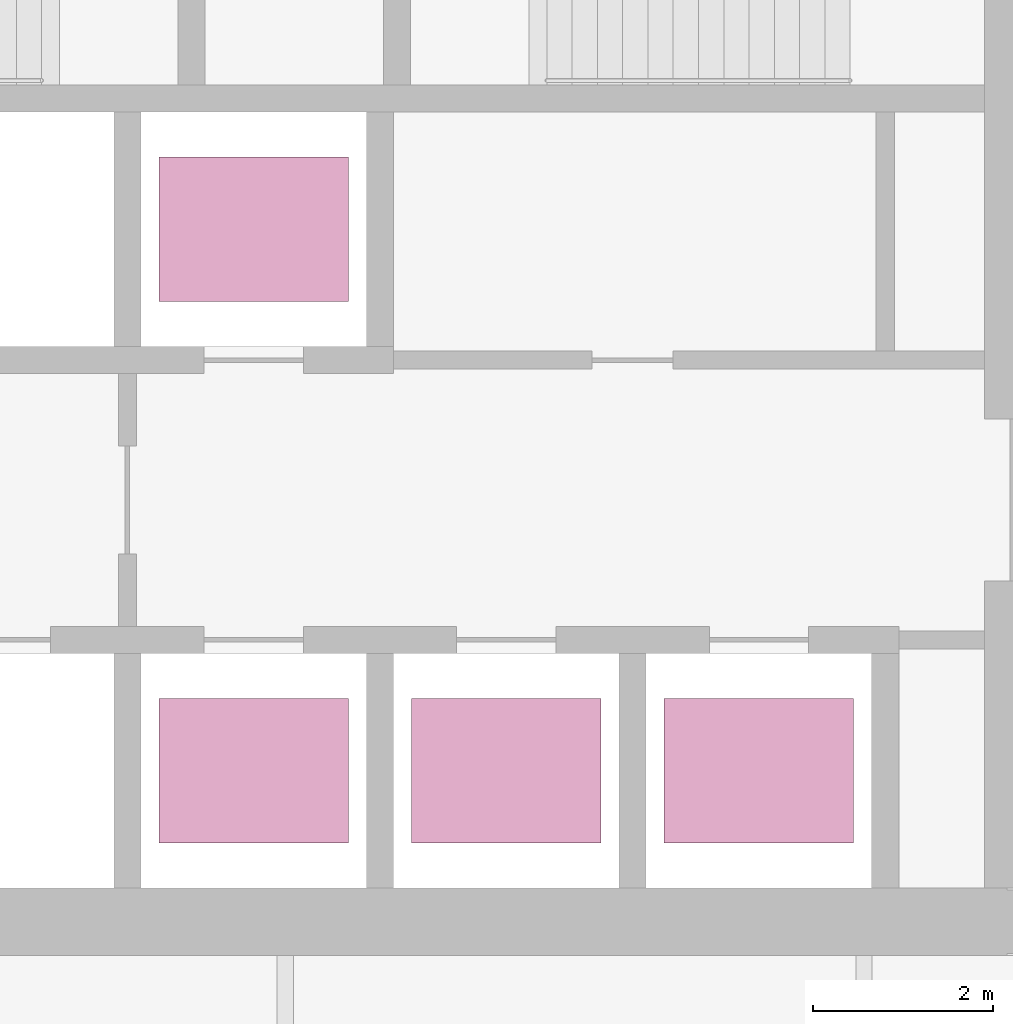
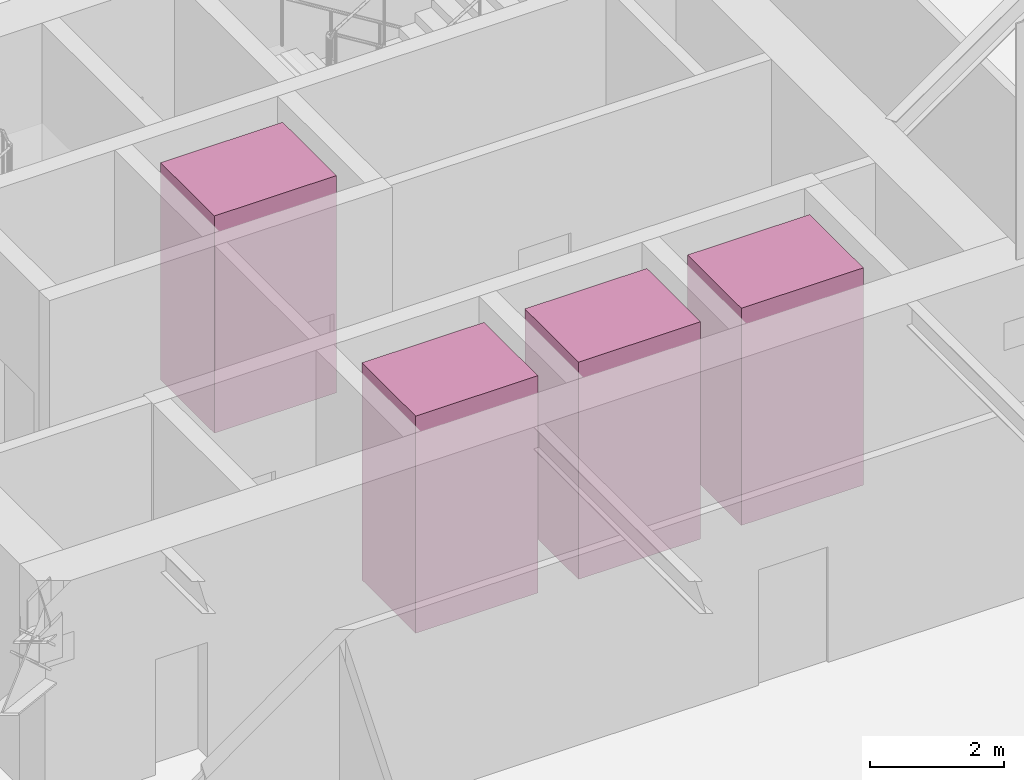
# One storey, part 16 of 16: 4 transport elements.
"""IFC4 building model written with IfcOpenShell, lengths in metres."""

from ifc_helpers import new_model, si_unit, direction, frame, origin, origin_2d, place, context, subcontext, project, spatial, rectangle, extrude, material, type_object, element, save


model = new_model("IFC4")

# Units and contexts
model_context = context("Model", 3, precision=1e-05, world=origin(), true_north=direction((0.0, 1.0)))
body_context = subcontext(model_context, "Body", "Model", "MODEL_VIEW")
ifc_project = project(units=[si_unit("LENGTHUNIT", "METRE"), si_unit("AREAUNIT", "SQUARE_METRE"), si_unit("VOLUMEUNIT", "CUBIC_METRE"), si_unit("PLANEANGLEUNIT", "RADIAN"), si_unit("MASSUNIT", "GRAM", prefix="KILO")], contexts=[model_context])

# Site, building, storey
site_placement = place(None, origin())
site = spatial("IfcSite", under=ifc_project, at=site_placement, CompositionType="ELEMENT")
building_placement = place(site_placement, origin())
building = spatial("IfcBuilding", under=site, at=building_placement, Name="Firuza Gate Tower and Library", CompositionType="ELEMENT")
storey_placement = place(building_placement, frame((0.0, 0.0, 247.60009765625)))
storey = spatial("IfcBuildingStorey", under=building, at=storey_placement, Name="L58", CompositionType="ELEMENT", Elevation=247.60009765625)

# Transport elements
ifc_material = material(Name="Stainless steel and glass", Category="steel")
transport_element_type = type_object("IfcTransportElementType", Name="High-rise lift car 2100x1600", PredefinedType="ELEVATOR", material=ifc_material)
for number, where, z_axis, x_axis, name in (
    (1, (74.64990234375, 70.300048828125, 0.0), (0.0, 0.0, 1.0), (1.0, 0.0, 0.0), "High-rise lift HR1"),
    (2, (77.449951171875, 70.300048828125, 0.0), (0.0, 0.0, 1.0), (1.0, 0.0, 0.0), "High-rise lift HR2"),
    (3, (80.25, 70.300048828125, 0.0), (0.0, 0.0, 1.0), (1.0, 0.0, 0.0), "High-rise lift HR3"),
    (4, (74.64990234375, 76.300048828125, 0.0), (0.0, 0.0, 1.0), (1.0, 0.0, 0.0), "High-rise lift HR4"),
):
    element("IfcTransportElement", number, at=place(storey_placement, frame(where, z_axis=z_axis, x_axis=x_axis)), inside=storey, type_object=transport_element_type, Name=name, PredefinedType="ELEVATOR", context=body_context, shape_type="SweptSolid", body=[
        extrude(rectangle(XDim=2.10009765625, YDim=1.60009765625, at=origin_2d()), origin(), (0.0, 0.0, 1.0), 3.949951171875),
    ])

save(model, "model.ifc")
